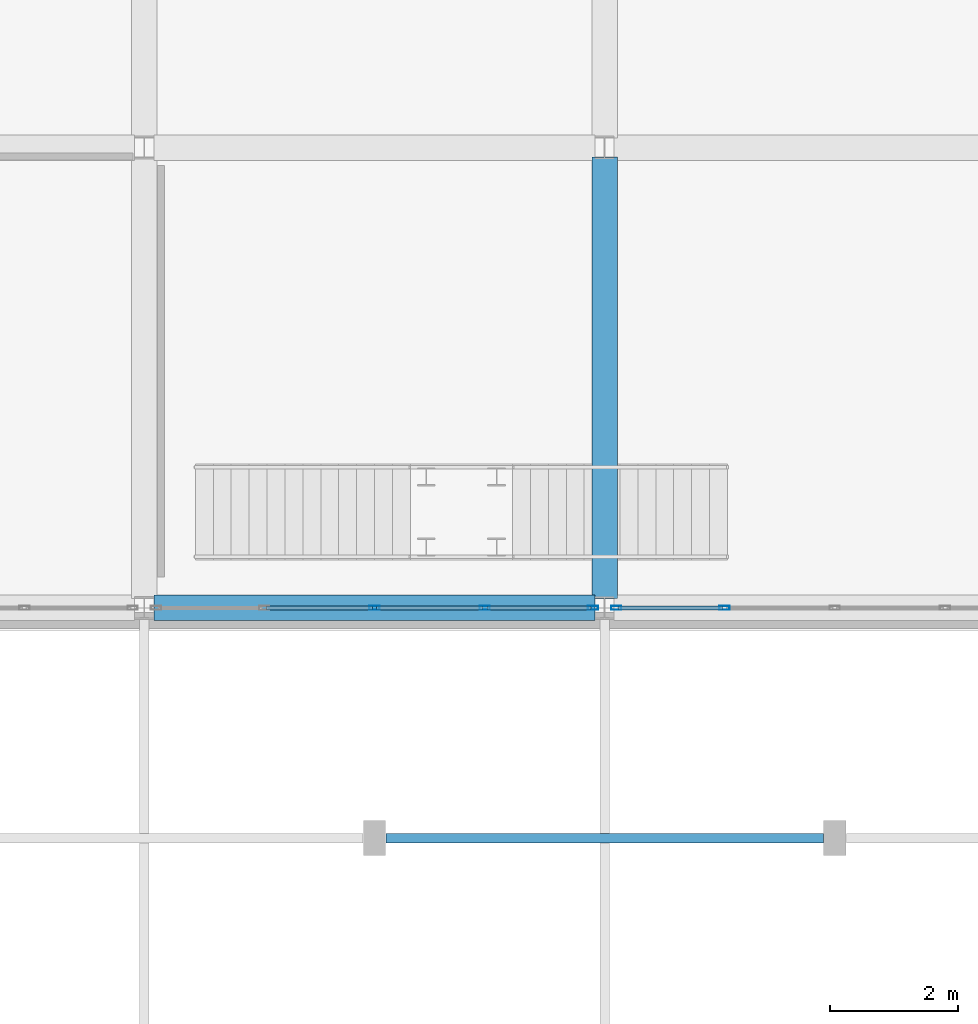
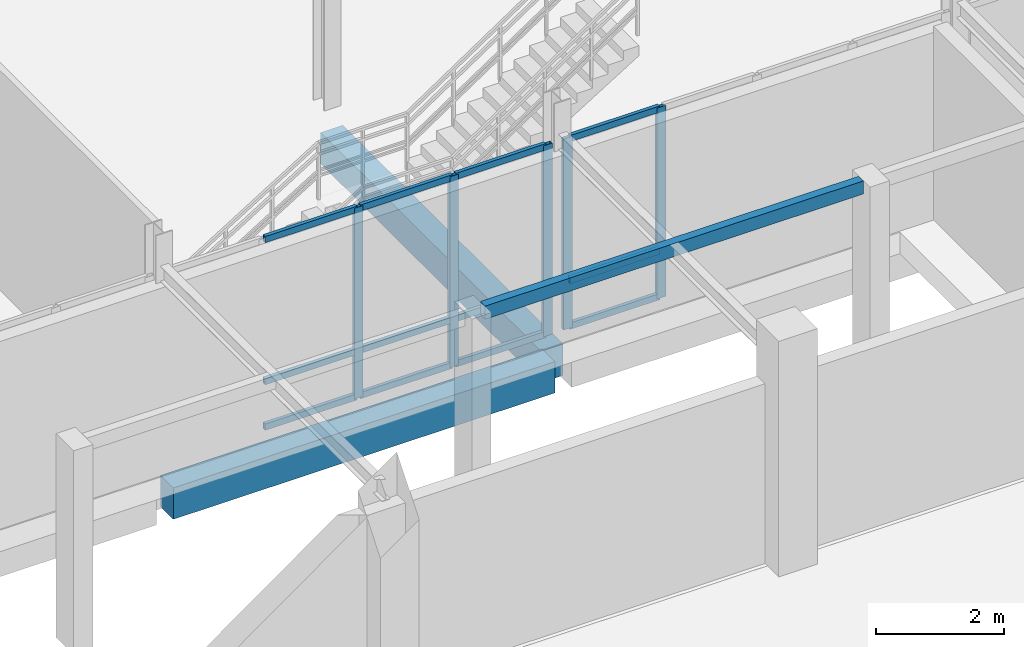
# One storey, part 30 of 139: 17 members, 3 beams, 2 elements without a shape of their own.
"""IFC4 building model written with IfcOpenShell, lengths in metres."""

import ifcopenshell
import ifcopenshell.guid

model = None  # the IFC model being written
_history = None  # IfcOwnerHistory: only IFC2X3 demands one
_inside = {}  # id of a spatial element -> (the spatial element, [elements in it])
_under = {}  # id of a project, library or spatial element -> (it, [spatial elements below it])
_declared = {}  # id of a project -> (the project, [libraries it declares])
_typed = {}  # id of a type object -> (the type object, [elements of that type])
_made_of = {}  # id of a material, layer set ... -> (it, [elements and type objects made of it])


def new_model(schema):
    """Start an empty IFC model of exactly this schema.

    Asked for "IFC4X3", IfcOpenShell would pick the latest addendum, in which some entities
    have other attributes; the version numbers below select the first issue.
    IFC2X3 requires an IfcOwnerHistory on every rooted entity: one is made here for all.
    """
    global model, _history
    if schema == "IFC4X3":
        model = ifcopenshell.file(schema_version=(4, 3, 0, 0))
    else:
        model = ifcopenshell.file(schema=schema)
    _inside.clear()
    _under.clear()
    _declared.clear()
    _typed.clear()
    _made_of.clear()
    _history = None
    if model.schema == "IFC2X3":
        org = make("IfcOrganization", Name="unknown")
        user = make(
            "IfcPersonAndOrganization",
            ThePerson=make("IfcPerson", FamilyName="unknown"),
            TheOrganization=org,
        )
        app = make(
            "IfcApplication",
            ApplicationDeveloper=org,
            Version="unknown",
            ApplicationFullName="unknown",
            ApplicationIdentifier="unknown",
        )
        _history = make(
            "IfcOwnerHistory",
            OwningUser=user,
            OwningApplication=app,
            ChangeAction="ADDED",
            CreationDate=0,
        )
    return model


def make(cls, **values):
    """One entity of the class cls with the attributes given. An attribute that is None is left unset."""
    return model.create_entity(
        cls, **{name: value for name, value in values.items() if value is not None}
    )


def rooted(cls, **values):
    """An entity with a GlobalId (a new one), such as an element, a storey or a relation."""
    return make(cls, GlobalId=ifcopenshell.guid.new(), OwnerHistory=_history, **values)


def si_unit(unit_type, name, prefix=None):
    """IfcSIUnit, for example si_unit("LENGTHUNIT", "METRE", prefix="MILLI")."""
    return make("IfcSIUnit", UnitType=unit_type, Prefix=prefix, Name=name)


def assignment(units):
    """IfcUnitAssignment: the units of a project."""
    return None if units is None else make("IfcUnitAssignment", Units=units)


def point(xyz):
    """IfcCartesianPoint."""
    return None if xyz is None else make("IfcCartesianPoint", Coordinates=xyz)


def direction(xyz):
    """IfcDirection."""
    return None if xyz is None else make("IfcDirection", DirectionRatios=xyz)


def frame(location, z_axis=None, x_axis=None):
    """IfcAxis2Placement3D, a coordinate frame: its origin and axes. An axis left out is left unset."""
    return make(
        "IfcAxis2Placement3D",
        Location=point(location),
        Axis=direction(z_axis),
        RefDirection=direction(x_axis),
    )


def frame_2d(location, x_axis=None):
    """IfcAxis2Placement2D, a coordinate frame in the plane: its origin and x axis."""
    return make(
        "IfcAxis2Placement2D", Location=point(location), RefDirection=direction(x_axis)
    )


def origin():
    """The frame at (0, 0, 0) with its axes left unset."""
    return frame((0.0, 0.0, 0.0))


def origin_2d():
    """The frame at (0, 0) in the plane with its x axis left unset."""
    return frame_2d((0.0, 0.0))


def place(relative_to, where):
    """IfcLocalPlacement: puts the frame where relative to a parent placement (None: the world)."""
    return make(
        "IfcLocalPlacement", PlacementRelTo=relative_to, RelativePlacement=where
    )


def context(
    kind, dimensions, precision=None, world=None, true_north=None, identifier=None
):
    """IfcGeometricRepresentationContext, for example the 3D "Model" context."""
    return make(
        "IfcGeometricRepresentationContext",
        ContextIdentifier=identifier,
        ContextType=kind,
        CoordinateSpaceDimension=dimensions,
        Precision=precision,
        WorldCoordinateSystem=world,
        TrueNorth=true_north,
    )


def subcontext(parent, identifier, kind, view, scale=None):
    """IfcGeometricRepresentationSubContext, for example "Body" below "Model"."""
    return make(
        "IfcGeometricRepresentationSubContext",
        ContextIdentifier=identifier,
        ContextType=kind,
        ParentContext=parent,
        TargetScale=scale,
        TargetView=view,
    )


def project(units=None, contexts=None):
    """IfcProject with its units and contexts."""
    return rooted(
        "IfcProject",
        Name="project",
        RepresentationContexts=contexts,
        UnitsInContext=assignment(units),
    )


def spatial(cls, under=None, at=None, **own):
    """A site, building, storey or space (cls), placed at a placement, below another one or the project."""
    s = rooted(cls, ObjectPlacement=at, **own)
    if under is not None:
        _under.setdefault(under.id(), (under, []))[1].append(s)
    return s


def profile(cls, at=None, kind="AREA", **sizes):
    """A parametric profile (cls). Its sizes go by their IFC names, for example OverallWidth=200.0."""
    return make(cls, ProfileType=kind, Position=at, **sizes)


def rectangle(**sizes):
    """IfcRectangleProfileDef."""
    return profile("IfcRectangleProfileDef", **sizes)


def hollow_rectangle(**sizes):
    """IfcRectangleHollowProfileDef."""
    return profile("IfcRectangleHollowProfileDef", **sizes)


def extrude(swept, where, along, depth):
    """IfcExtrudedAreaSolid: the profile swept, set in the frame where, extruded along a direction by depth."""
    return make(
        "IfcExtrudedAreaSolid",
        SweptArea=swept,
        Position=where,
        ExtrudedDirection=direction(along),
        Depth=depth,
    )


def shape(context_of_items, identifier, shape_type, items):
    """IfcShapeRepresentation: the items that make up one representation, for example the "Body"."""
    return make(
        "IfcShapeRepresentation",
        ContextOfItems=context_of_items,
        RepresentationIdentifier=identifier,
        RepresentationType=shape_type,
        Items=items,
    )


def material(Name=None, Category=None):
    """IfcMaterial."""
    return make("IfcMaterial", Name=Name, Category=Category)


def material_profile(
    of_material, cross_section, Name=None, Category=None, Priority=None
):
    """IfcMaterialProfile: a cross section and its material."""
    return make(
        "IfcMaterialProfile",
        Name=Name,
        Material=of_material,
        Profile=cross_section,
        Priority=Priority,
        Category=Category,
    )


def profile_set(profiles, Name=None, composite=None):
    """IfcMaterialProfileSet."""
    return make(
        "IfcMaterialProfileSet",
        Name=Name,
        MaterialProfiles=profiles,
        CompositeProfile=composite,
    )


def made_of(thing, what):
    """Note that an element or type object is made of a material, layer set ...; save() writes the relation."""
    if what is not None:
        _made_of.setdefault(what.id(), (what, []))[1].append(thing)
    return thing


def type_object(cls, material=None, **own):
    """A type object (cls), such as IfcWallType, which elements share."""
    return made_of(rooted(cls, **own), material)


def element(
    cls,
    number,
    at=None,
    inside=None,
    cuts=None,
    type_object=None,
    material=None,
    context=None,
    identifier="Body",
    shape_type=None,
    held_by="IfcProductDefinitionShape",
    body=None,
    shapes=None,
    **own,
):
    """One element of the class cls, such as IfcWall. Its Tag is "e" and its number.

    at: its placement. inside: the storey or other place that contains it. cuts: it is an
    opening in that element (IfcRelVoidsElement). A single representation is given by context,
    identifier, shape_type and body (its items); several are given by shapes. held_by: the class
    of the entity that holds the representations. save() writes the other relations.
    """
    e = rooted(cls, Tag="e%d" % number, ObjectPlacement=at, **own)
    if body is not None:
        shapes = [shape(context, identifier, shape_type, body)]
    if shapes is not None:
        e.Representation = make(held_by, Representations=shapes)
    if inside is not None:
        _inside.setdefault(inside.id(), (inside, []))[1].append(e)
    if cuts is not None:
        rooted(
            "IfcRelVoidsElement", RelatingBuildingElement=cuts, RelatedOpeningElement=e
        )
    if type_object is not None:
        _typed.setdefault(type_object.id(), (type_object, []))[1].append(e)
    return made_of(e, material)


def aggregate(whole, parts):
    """IfcRelAggregates: a whole, such as a stair, and the parts it consists of."""
    return rooted("IfcRelAggregates", RelatingObject=whole, RelatedObjects=parts)


def save(model, path):
    """Write the relations noted so far, then the file.

    IfcRelAggregates (storeys below a building ...), IfcRelContainedInSpatialStructure (elements
    in a storey), IfcRelDefinesByType, IfcRelAssociatesMaterial and IfcRelDeclares: one each for
    every whole, place, type object, material and project.
    """
    for whole, parts in _under.values():
        aggregate(whole, parts)
    for where, things in _inside.values():
        rooted(
            "IfcRelContainedInSpatialStructure",
            RelatedElements=things,
            RelatingStructure=where,
        )
    for kind, things in _typed.values():
        rooted("IfcRelDefinesByType", RelatedObjects=things, RelatingType=kind)
    for what, things in _made_of.values():
        rooted("IfcRelAssociatesMaterial", RelatedObjects=things, RelatingMaterial=what)
    for by, libraries in _declared.values():
        rooted("IfcRelDeclares", RelatingContext=by, RelatedDefinitions=libraries)
    model.write(path)


model = new_model("IFC4")

# Units and contexts
model_context = context("Model", 3, precision=1e-05, world=origin(), true_north=direction((0.0, 1.0)))
body_context = subcontext(model_context, "Body", "Model", "MODEL_VIEW")
ifc_project = project(units=[si_unit("LENGTHUNIT", "METRE"), si_unit("AREAUNIT", "SQUARE_METRE"), si_unit("VOLUMEUNIT", "CUBIC_METRE"), si_unit("PLANEANGLEUNIT", "RADIAN"), si_unit("MASSUNIT", "GRAM", prefix="KILO")], contexts=[model_context])

# Site, building, storey
site_placement = place(None, origin())
site = spatial("IfcSite", under=ifc_project, at=site_placement, CompositionType="ELEMENT")
building_placement = place(site_placement, origin())
building = spatial("IfcBuilding", under=site, at=building_placement, Name="Suanplinth Sawtooth Commons", CompositionType="ELEMENT")
storey_placement = place(building_placement, origin())
storey = spatial("IfcBuildingStorey", under=building, at=storey_placement, Name="L00", CompositionType="ELEMENT", Elevation=0.0)

# Beams
ifc_material_1 = material(Name="Precast concrete C40/50", Category="concrete")
ifc_material_profile_1 = material_profile(ifc_material_1, rectangle(XDim=0.39990234375, YDim=0.60009765625, at=origin_2d()), Name="PC-GDR 400x600")
ifc_profile_set_1 = profile_set([ifc_material_profile_1], Name="Precast concrete C40/50")
beam_type_1 = type_object("IfcBeamType", Name="B-05", PredefinedType="USERDEFINED", material=ifc_profile_set_1)
for number, where, z_axis, x_axis, name in (
    (1, (21.75, 50.39990234375, -0.7099609375), (1.0, 0.0, 0.0), (0.0, 1.0, 0.0), "BMX-L00-MKT-3-7"),
    (2, (28.800048828125, 50.550048828125, -0.7099609375), (0.0, 1.0, 0.0), (-1.0, 0.0, 0.0), "BMY-L00-MKT-4-7"),
):
    element("IfcBeam", number, at=place(storey_placement, frame(where, z_axis=z_axis, x_axis=x_axis)), inside=storey, type_object=beam_type_1, Name=name, ObjectType="GIRDER", PredefinedType="USERDEFINED", context=body_context, shape_type="SweptSolid", body=[
        extrude(rectangle(XDim=0.39990234375, YDim=0.60009765625, at=origin_2d()), origin(), (0.0, 0.0, 1.0), 6.89990234375),
    ])
ifc_material_2 = material(Name="Steel S355JR", Category="steel")
ifc_material_profile_2 = material_profile(ifc_material_2, hollow_rectangle(XDim=0.14990234375, YDim=0.25, WallThickness=0.010009765625, at=origin_2d()), Name="RHS 250x150x10")
ifc_profile_set_2 = profile_set([ifc_material_profile_2], Name="Steel S355JR")
beam_type_2 = type_object("IfcBeamType", Name="B-18", PredefinedType="BEAM", material=ifc_profile_set_2)
beam_placement = place(storey_placement, frame((25.3798828125, 46.800048828125, 3.77490234375), z_axis=(1.0, 0.0, 0.0), x_axis=(0.0, 1.0, 0.0)))
element("IfcBeam", 3, at=beam_placement, inside=storey, type_object=beam_type_2, Name="Market Porch Edge Beam 2", PredefinedType="BEAM", context=body_context, shape_type="SweptSolid", body=[
    extrude(hollow_rectangle(XDim=0.14990234375, YDim=0.25, WallThickness=0.010009765625, at=origin_2d()), origin(), (0.0, 0.0, 1.0), 6.840087890625),
])

# Curtain wall, members
ifc_material_3 = material(Name="Anodized aluminium and low-E glazing", Category="aluminium")
curtain_wall_type = type_object("IfcCurtainWallType", Name="CW-02", PredefinedType="USERDEFINED", material=ifc_material_3)
curtain_wall_1_placement = place(storey_placement, origin())
curtain_wall_1 = element("IfcCurtainWall", 4, at=curtain_wall_1_placement, inside=storey, type_object=curtain_wall_type, Name="Curtain Wall CW-L00-MKT-S-3", ObjectType="CURTAIN WALL", PredefinedType="USERDEFINED")
ifc_material_4 = material(Name="Anodized aluminium 6063-T6", Category="aluminium")
ifc_material_profile_3 = material_profile(ifc_material_4, hollow_rectangle(XDim=0.06494140625, YDim=0.159912109375, WallThickness=0.00390625, at=origin_2d()), Name="ALU-MUL 65x160")
ifc_profile_set_3 = profile_set([ifc_material_profile_3], Name="Anodized aluminium 6063-T6")
member_type_1 = type_object("IfcMemberType", Name="M-13", PredefinedType="MULLION", material=ifc_profile_set_3)
member_1_placement = place(storey_placement, frame((25.199951171875, 50.39990234375, 0.0), z_axis=(0.0, 0.0, 1.0), x_axis=(0.0, 1.0, 0.0)))
member_1 = element("IfcMember", 5, at=member_1_placement, type_object=member_type_1, Name="CW-02 mullion 3", PredefinedType="MULLION", context=body_context, shape_type="SweptSolid", body=[
    extrude(hollow_rectangle(XDim=0.06494140625, YDim=0.159912109375, WallThickness=0.00390625, at=origin_2d()), origin(), (0.0, 0.0, 1.0), 3.64990234375),
])
member_2_placement = place(storey_placement, frame((26.925048828125, 50.39990234375, 0.0), z_axis=(0.0, 0.0, 1.0), x_axis=(0.0, 1.0, 0.0)))
member_2 = element("IfcMember", 6, at=member_2_placement, type_object=member_type_1, Name="CW-02 mullion 4", PredefinedType="MULLION", context=body_context, shape_type="SweptSolid", body=[
    extrude(hollow_rectangle(XDim=0.06494140625, YDim=0.159912109375, WallThickness=0.00390625, at=origin_2d()), origin(), (0.0, 0.0, 1.0), 3.64990234375),
])
member_3_placement = place(storey_placement, frame((28.617431640625, 50.39990234375, 0.0), z_axis=(0.0, 0.0, 1.0), x_axis=(0.0, 1.0, 0.0)))
member_3 = element("IfcMember", 7, at=member_3_placement, type_object=member_type_1, Name="CW-02 mullion 5", PredefinedType="MULLION", context=body_context, shape_type="SweptSolid", body=[
    extrude(hollow_rectangle(XDim=0.06494140625, YDim=0.159912109375, WallThickness=0.00390625, at=origin_2d()), origin(), (0.0, 0.0, 1.0), 3.64990234375),
])

curtain_wall_2_placement = place(storey_placement, origin())
curtain_wall_2 = element("IfcCurtainWall", 8, at=curtain_wall_2_placement, inside=storey, type_object=curtain_wall_type, Name="Curtain Wall CW-L00-MKT-S-4", ObjectType="CURTAIN WALL", PredefinedType="USERDEFINED")
member_4_placement = place(storey_placement, frame((28.982421875, 50.39990234375, 0.0), z_axis=(0.0, 0.0, 1.0), x_axis=(0.0, 1.0, 0.0)))
member_4 = element("IfcMember", 9, at=member_4_placement, type_object=member_type_1, Name="CW-02 mullion 1", PredefinedType="MULLION", context=body_context, shape_type="SweptSolid", body=[
    extrude(hollow_rectangle(XDim=0.06494140625, YDim=0.159912109375, WallThickness=0.00390625, at=origin_2d()), origin(), (0.0, 0.0, 1.0), 3.64990234375),
])
member_5_placement = place(storey_placement, frame((30.675048828125, 50.39990234375, 0.0), z_axis=(0.0, 0.0, 1.0), x_axis=(0.0, 1.0, 0.0)))
member_5 = element("IfcMember", 10, at=member_5_placement, type_object=member_type_1, Name="CW-02 mullion 2", PredefinedType="MULLION", context=body_context, shape_type="SweptSolid", body=[
    extrude(hollow_rectangle(XDim=0.06494140625, YDim=0.159912109375, WallThickness=0.00390625, at=origin_2d()), origin(), (0.0, 0.0, 1.0), 3.64990234375),
])

# Member
ifc_material_profile_4 = material_profile(ifc_material_4, hollow_rectangle(XDim=0.06494140625, YDim=0.1201171875, WallThickness=0.00390625, at=origin_2d()), Name="ALU-TRN 65x120")
ifc_profile_set_4 = profile_set([ifc_material_profile_4], Name="Anodized aluminium 6063-T6")
member_type_2 = type_object("IfcMemberType", Name="M-15", PredefinedType="USERDEFINED", material=ifc_profile_set_4)
member_6_placement = place(storey_placement, frame((23.507568359375, 50.39990234375, 0.032470703125), z_axis=(1.0, 0.0, 0.0), x_axis=(0.0, 1.0, 0.0)))
member_6 = element("IfcMember", 11, at=member_6_placement, type_object=member_type_2, Name="CW-02 transom 2.1", ObjectType="TRANSOM", PredefinedType="USERDEFINED", context=body_context, shape_type="SweptSolid", body=[
    extrude(hollow_rectangle(XDim=0.06494140625, YDim=0.1201171875, WallThickness=0.00390625, at=origin_2d()), origin(), (0.0, 0.0, 1.0), 1.659912109375),
])

member_7_placement = place(storey_placement, frame((23.507568359375, 50.39990234375, 0.89990234375), z_axis=(1.0, 0.0, 0.0), x_axis=(0.0, 1.0, 0.0)))
member_7 = element("IfcMember", 12, at=member_7_placement, type_object=member_type_2, Name="CW-02 transom 2.2", ObjectType="TRANSOM", PredefinedType="USERDEFINED", context=body_context, shape_type="SweptSolid", body=[
    extrude(hollow_rectangle(XDim=0.06494140625, YDim=0.1201171875, WallThickness=0.00390625, at=origin_2d()), origin(), (0.0, 0.0, 1.0), 1.659912109375),
])

member_8_placement = place(storey_placement, frame((23.507568359375, 50.39990234375, 3.617431640625), z_axis=(1.0, 0.0, 0.0), x_axis=(0.0, 1.0, 0.0)))
member_8 = element("IfcMember", 13, at=member_8_placement, type_object=member_type_2, Name="CW-02 transom 2.3", ObjectType="TRANSOM", PredefinedType="USERDEFINED", context=body_context, shape_type="SweptSolid", body=[
    extrude(hollow_rectangle(XDim=0.06494140625, YDim=0.1201171875, WallThickness=0.00390625, at=origin_2d()), origin(), (0.0, 0.0, 1.0), 1.659912109375),
])

member_9_placement = place(storey_placement, frame((25.232421875, 50.39990234375, 0.032470703125), z_axis=(1.0, 0.0, 0.0), x_axis=(0.0, 1.0, 0.0)))
member_9 = element("IfcMember", 14, at=member_9_placement, type_object=member_type_2, Name="CW-02 transom 3.1", ObjectType="TRANSOM", PredefinedType="USERDEFINED", context=body_context, shape_type="SweptSolid", body=[
    extrude(hollow_rectangle(XDim=0.06494140625, YDim=0.1201171875, WallThickness=0.00390625, at=origin_2d()), origin(), (0.0, 0.0, 1.0), 1.66015625),
])

member_10_placement = place(storey_placement, frame((25.232421875, 50.39990234375, 0.89990234375), z_axis=(1.0, 0.0, 0.0), x_axis=(0.0, 1.0, 0.0)))
member_10 = element("IfcMember", 15, at=member_10_placement, type_object=member_type_2, Name="CW-02 transom 3.2", ObjectType="TRANSOM", PredefinedType="USERDEFINED", context=body_context, shape_type="SweptSolid", body=[
    extrude(hollow_rectangle(XDim=0.06494140625, YDim=0.1201171875, WallThickness=0.00390625, at=origin_2d()), origin(), (0.0, 0.0, 1.0), 1.66015625),
])

member_11_placement = place(storey_placement, frame((25.232421875, 50.39990234375, 3.617431640625), z_axis=(1.0, 0.0, 0.0), x_axis=(0.0, 1.0, 0.0)))
member_11 = element("IfcMember", 16, at=member_11_placement, type_object=member_type_2, Name="CW-02 transom 3.3", ObjectType="TRANSOM", PredefinedType="USERDEFINED", context=body_context, shape_type="SweptSolid", body=[
    extrude(hollow_rectangle(XDim=0.06494140625, YDim=0.1201171875, WallThickness=0.00390625, at=origin_2d()), origin(), (0.0, 0.0, 1.0), 1.66015625),
])

member_12_placement = place(storey_placement, frame((26.95751953125, 50.39990234375, 0.032470703125), z_axis=(1.0, 0.0, 0.0), x_axis=(0.0, 1.0, 0.0)))
member_12 = element("IfcMember", 17, at=member_12_placement, type_object=member_type_2, Name="CW-02 transom 4.1", ObjectType="TRANSOM", PredefinedType="USERDEFINED", context=body_context, shape_type="SweptSolid", body=[
    extrude(hollow_rectangle(XDim=0.06494140625, YDim=0.1201171875, WallThickness=0.00390625, at=origin_2d()), origin(), (0.0, 0.0, 1.0), 1.62744140625),
])

member_13_placement = place(storey_placement, frame((26.95751953125, 50.39990234375, 0.89990234375), z_axis=(1.0, 0.0, 0.0), x_axis=(0.0, 1.0, 0.0)))
member_13 = element("IfcMember", 18, at=member_13_placement, type_object=member_type_2, Name="CW-02 transom 4.2", ObjectType="TRANSOM", PredefinedType="USERDEFINED", context=body_context, shape_type="SweptSolid", body=[
    extrude(hollow_rectangle(XDim=0.06494140625, YDim=0.1201171875, WallThickness=0.00390625, at=origin_2d()), origin(), (0.0, 0.0, 1.0), 1.62744140625),
])

member_14_placement = place(storey_placement, frame((26.95751953125, 50.39990234375, 3.617431640625), z_axis=(1.0, 0.0, 0.0), x_axis=(0.0, 1.0, 0.0)))
member_14 = element("IfcMember", 19, at=member_14_placement, type_object=member_type_2, Name="CW-02 transom 4.3", ObjectType="TRANSOM", PredefinedType="USERDEFINED", context=body_context, shape_type="SweptSolid", body=[
    extrude(hollow_rectangle(XDim=0.06494140625, YDim=0.1201171875, WallThickness=0.00390625, at=origin_2d()), origin(), (0.0, 0.0, 1.0), 1.62744140625),
])

aggregate(curtain_wall_1, [member_1, member_2, member_3, member_6, member_7, member_8, member_9, member_10, member_11, member_12, member_13, member_14])

member_15_placement = place(storey_placement, frame((29.014892578125, 50.39990234375, 0.032470703125), z_axis=(1.0, 0.0, 0.0), x_axis=(0.0, 1.0, 0.0)))
member_15 = element("IfcMember", 20, at=member_15_placement, type_object=member_type_2, Name="CW-02 transom 1.1", ObjectType="TRANSOM", PredefinedType="USERDEFINED", context=body_context, shape_type="SweptSolid", body=[
    extrude(hollow_rectangle(XDim=0.06494140625, YDim=0.1201171875, WallThickness=0.00390625, at=origin_2d()), origin(), (0.0, 0.0, 1.0), 1.627685546875),
])

member_16_placement = place(storey_placement, frame((29.014892578125, 50.39990234375, 0.89990234375), z_axis=(1.0, 0.0, 0.0), x_axis=(0.0, 1.0, 0.0)))
member_16 = element("IfcMember", 21, at=member_16_placement, type_object=member_type_2, Name="CW-02 transom 1.2", ObjectType="TRANSOM", PredefinedType="USERDEFINED", context=body_context, shape_type="SweptSolid", body=[
    extrude(hollow_rectangle(XDim=0.06494140625, YDim=0.1201171875, WallThickness=0.00390625, at=origin_2d()), origin(), (0.0, 0.0, 1.0), 1.627685546875),
])

member_17_placement = place(storey_placement, frame((29.014892578125, 50.39990234375, 3.617431640625), z_axis=(1.0, 0.0, 0.0), x_axis=(0.0, 1.0, 0.0)))
member_17 = element("IfcMember", 22, at=member_17_placement, type_object=member_type_2, Name="CW-02 transom 1.3", ObjectType="TRANSOM", PredefinedType="USERDEFINED", context=body_context, shape_type="SweptSolid", body=[
    extrude(hollow_rectangle(XDim=0.06494140625, YDim=0.1201171875, WallThickness=0.00390625, at=origin_2d()), origin(), (0.0, 0.0, 1.0), 1.627685546875),
])

aggregate(curtain_wall_2, [member_4, member_5, member_15, member_16, member_17])

save(model, "model.ifc")
